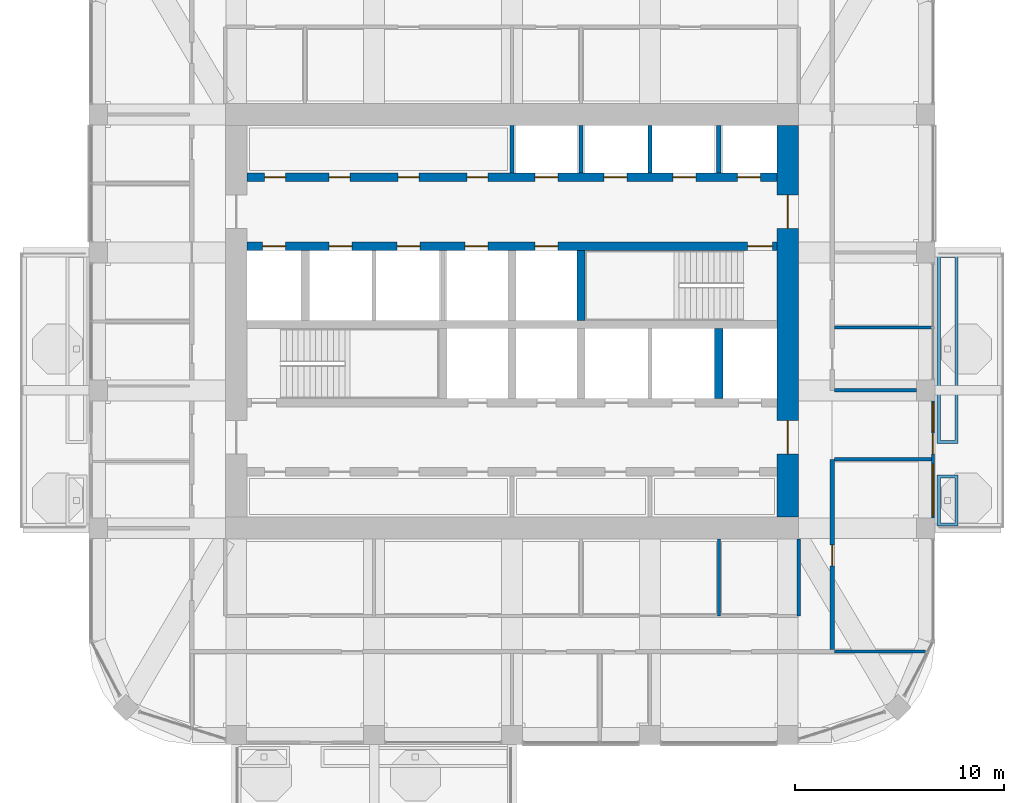
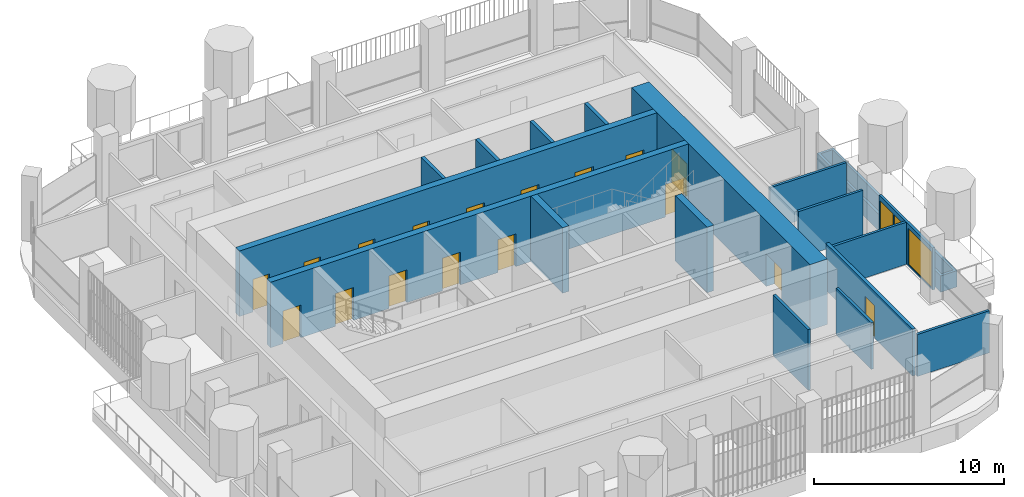
# One storey, part 13 of 18: 19 walls, 18 doors, 2 windows, 20 openings.
"""IFC4 building model written with IfcOpenShell, lengths in metres."""

from ifc_helpers import new_model, si_unit, direction, frame, frame_2d, origin, place, context, subcontext, project, spatial, polyline, rectangle, outline, extrude, material, layer, layer_set, type_object, element, fill, save


model = new_model("IFC4")

# Units and contexts
model_context = context("Model", 3, precision=1e-05, world=origin(), true_north=direction((0.0, 1.0)))
body_context = subcontext(model_context, "Body", "Model", "MODEL_VIEW")
ifc_project = project(units=[si_unit("LENGTHUNIT", "METRE"), si_unit("AREAUNIT", "SQUARE_METRE"), si_unit("VOLUMEUNIT", "CUBIC_METRE"), si_unit("PLANEANGLEUNIT", "RADIAN"), si_unit("MASSUNIT", "GRAM", prefix="KILO")], contexts=[model_context])

# Site, building, storey
site_placement = place(None, origin())
site = spatial("IfcSite", under=ifc_project, at=site_placement, CompositionType="ELEMENT")
building_placement = place(site_placement, origin())
building = spatial("IfcBuilding", under=site, at=building_placement, Name="Cobogo Forest Laboratory Tower", CompositionType="ELEMENT")
storey_placement = place(building_placement, frame((0.0, 0.0, 271.199951171875)))
storey = spatial("IfcBuildingStorey", under=building, at=storey_placement, Name="L62", CompositionType="ELEMENT", Elevation=271.199951171875)

# Wall, openings, doors
ifc_material_1 = material(Name="Concrete HA-50 (C50/60)", Category="concrete")
ifc_layer_1 = layer(ifc_material_1, 0.39990234375)
ifc_layer_set_1 = layer_set([ifc_layer_1], Name="CI400 core inner wall 400")
wall_type_1 = type_object("IfcWallType", Name="CI400 core inner wall 400", PredefinedType="SHEAR", material=ifc_layer_set_1)
wall_1_placement = place(storey_placement, frame((13.72509765625, 26.699951171875, 0.0), z_axis=(0.0, 0.0, 1.0), x_axis=(1.0, 0.0, 0.0)))
wall_1 = element("IfcWall", 1, at=wall_1_placement, inside=storey, type_object=wall_type_1, Name="Core wall CI-26.7 L62", PredefinedType="SHEAR", context=body_context, shape_type="SweptSolid", body=[
    extrude(rectangle(XDim=25.349853515625, YDim=0.39990234375, at=frame_2d((12.6748046875, 0.0))), origin(), (0.0, 0.0, 1.0), 4.199951171875),
])
opening_1_placement = place(wall_1_placement, frame((23.949951171875, 0.0, 0.0)))
opening_1 = element("IfcOpeningElement", 2, at=opening_1_placement, cuts=wall_1, Name="Opening L62-D33", PredefinedType="OPENING", context=body_context, shape_type="SweptSolid", body=[
    extrude(rectangle(XDim=1.199951171875, YDim=2.10009765625, at=frame_2d((0.60009765625, 1.050048828125))), frame((0.0, 0.2099609375, 0.0), z_axis=(0.0, -1.0, 0.0), x_axis=(1.0, 0.0, 0.0)), (0.0, 0.0, 1.0), 0.419921875),
])
opening_2_placement = place(wall_1_placement, frame((0.737548828125, 0.0, 0.0)))
opening_2 = element("IfcOpeningElement", 3, at=opening_2_placement, cuts=wall_1, Name="Opening L62-LD-FL1", PredefinedType="OPENING", context=body_context, shape_type="SweptSolid", body=[
    extrude(rectangle(XDim=1.10009765625, YDim=2.10009765625, at=frame_2d((0.550048828125, 1.050048828125))), frame((0.0, 0.2099609375, 0.0), z_axis=(0.0, -1.0, 0.0), x_axis=(1.0, 0.0, 0.0)), (0.0, 0.0, 1.0), 0.419921875),
])
opening_3_placement = place(wall_1_placement, frame((3.925048828125, 0.0, 0.0)))
opening_3 = element("IfcOpeningElement", 4, at=opening_3_placement, cuts=wall_1, Name="Opening L62-LD-LS3", PredefinedType="OPENING", context=body_context, shape_type="SweptSolid", body=[
    extrude(rectangle(XDim=1.10009765625, YDim=2.10009765625, at=frame_2d((0.550048828125, 1.050048828125))), frame((0.0, 0.2099609375, 0.0), z_axis=(0.0, -1.0, 0.0), x_axis=(1.0, 0.0, 0.0)), (0.0, 0.0, 1.0), 0.419921875),
])
opening_4_placement = place(wall_1_placement, frame((7.175048828125, 0.0, 0.0)))
opening_4 = element("IfcOpeningElement", 5, at=opening_4_placement, cuts=wall_1, Name="Opening L62-LD-LS4", PredefinedType="OPENING", context=body_context, shape_type="SweptSolid", body=[
    extrude(rectangle(XDim=1.10009765625, YDim=2.10009765625, at=frame_2d((0.550048828125, 1.050048828125))), frame((0.0, 0.2099609375, 0.0), z_axis=(0.0, -1.0, 0.0), x_axis=(1.0, 0.0, 0.0)), (0.0, 0.0, 1.0), 0.419921875),
])
opening_5_placement = place(wall_1_placement, frame((10.425048828125, 0.0, 0.0)))
opening_5 = element("IfcOpeningElement", 6, at=opening_5_placement, cuts=wall_1, Name="Opening L62-LD-LS5", PredefinedType="OPENING", context=body_context, shape_type="SweptSolid", body=[
    extrude(rectangle(XDim=1.10009765625, YDim=2.10009765625, at=frame_2d((0.550048828125, 1.050048828125))), frame((0.0, 0.2099609375, 0.0), z_axis=(0.0, -1.0, 0.0), x_axis=(1.0, 0.0, 0.0)), (0.0, 0.0, 1.0), 0.419921875),
])
opening_6_placement = place(wall_1_placement, frame((13.77490234375, 0.0, 0.0)))
opening_6 = element("IfcOpeningElement", 7, at=opening_6_placement, cuts=wall_1, Name="Opening L62-LD-LS6", PredefinedType="OPENING", context=body_context, shape_type="SweptSolid", body=[
    extrude(rectangle(XDim=1.10009765625, YDim=2.10009765625, at=frame_2d((0.550048828125, 1.050048828125))), frame((0.0, 0.2099609375, 0.0), z_axis=(0.0, -1.0, 0.0), x_axis=(1.0, 0.0, 0.0)), (0.0, 0.0, 1.0), 0.419921875),
])
ifc_material_2 = material(Name="Steel fire door", Category="steel")
door_type_1 = type_object("IfcDoorType", Name="DS1 protected stair door 1200 EI2 60", OperationType="SINGLE_SWING_LEFT", PredefinedType="DOOR", material=ifc_material_2)
door_1_placement = place(opening_1_placement, origin())
door_1 = element("IfcDoor", 8, at=door_1_placement, inside=storey, type_object=door_type_1, Name="Door L62-ST2", OperationType="SINGLE_SWING_RIGHT", OverallHeight=2.10009765625, OverallWidth=1.199951171875, PredefinedType="DOOR", context=body_context, shape_type="SweptSolid", body=[
    extrude(rectangle(XDim=1.199951171875, YDim=2.10009765625, at=frame_2d((0.60009765625, 1.050048828125))), frame((0.0, 0.02490234375, 0.0), z_axis=(0.0, -1.0, 0.0), x_axis=(1.0, 0.0, 0.0)), (0.0, 0.0, 1.0), 0.050048828125),
])
fill(opening_1, door_1)
ifc_material_3 = material(Name="Stainless steel lift door", Category="steel")
door_type_2 = type_object("IfcDoorType", Name="LD lift landing door 1100", OperationType="DOUBLE_DOOR_SLIDING", PredefinedType="DOOR", material=ifc_material_3)
door_2_placement = place(opening_2_placement, origin())
door_2 = element("IfcDoor", 9, at=door_2_placement, inside=storey, type_object=door_type_2, Name="Lift landing door FL1 L62", OperationType="DOUBLE_DOOR_SLIDING", OverallHeight=2.10009765625, OverallWidth=1.10009765625, PredefinedType="DOOR", context=body_context, shape_type="SweptSolid", body=[
    extrude(rectangle(XDim=1.10009765625, YDim=2.10009765625, at=frame_2d((0.550048828125, 1.050048828125))), frame((0.0, 0.02490234375, 0.0), z_axis=(0.0, -1.0, 0.0), x_axis=(1.0, 0.0, 0.0)), (0.0, 0.0, 1.0), 0.050048828125),
])
fill(opening_2, door_2)
door_3_placement = place(opening_3_placement, origin())
door_3 = element("IfcDoor", 10, at=door_3_placement, inside=storey, type_object=door_type_2, Name="Lift landing door LS3 L62", OperationType="DOUBLE_DOOR_SLIDING", OverallHeight=2.10009765625, OverallWidth=1.10009765625, PredefinedType="DOOR", context=body_context, shape_type="SweptSolid", body=[
    extrude(rectangle(XDim=1.10009765625, YDim=2.10009765625, at=frame_2d((0.550048828125, 1.050048828125))), frame((0.0, 0.02490234375, 0.0), z_axis=(0.0, -1.0, 0.0), x_axis=(1.0, 0.0, 0.0)), (0.0, 0.0, 1.0), 0.050048828125),
])
fill(opening_3, door_3)
door_4_placement = place(opening_4_placement, origin())
door_4 = element("IfcDoor", 11, at=door_4_placement, inside=storey, type_object=door_type_2, Name="Lift landing door LS4 L62", OperationType="DOUBLE_DOOR_SLIDING", OverallHeight=2.10009765625, OverallWidth=1.10009765625, PredefinedType="DOOR", context=body_context, shape_type="SweptSolid", body=[
    extrude(rectangle(XDim=1.10009765625, YDim=2.10009765625, at=frame_2d((0.550048828125, 1.050048828125))), frame((0.0, 0.02490234375, 0.0), z_axis=(0.0, -1.0, 0.0), x_axis=(1.0, 0.0, 0.0)), (0.0, 0.0, 1.0), 0.050048828125),
])
fill(opening_4, door_4)
door_5_placement = place(opening_5_placement, origin())
door_5 = element("IfcDoor", 12, at=door_5_placement, inside=storey, type_object=door_type_2, Name="Lift landing door LS5 L62", OperationType="DOUBLE_DOOR_SLIDING", OverallHeight=2.10009765625, OverallWidth=1.10009765625, PredefinedType="DOOR", context=body_context, shape_type="SweptSolid", body=[
    extrude(rectangle(XDim=1.10009765625, YDim=2.10009765625, at=frame_2d((0.550048828125, 1.050048828125))), frame((0.0, 0.02490234375, 0.0), z_axis=(0.0, -1.0, 0.0), x_axis=(1.0, 0.0, 0.0)), (0.0, 0.0, 1.0), 0.050048828125),
])
fill(opening_5, door_5)
door_6_placement = place(opening_6_placement, origin())
door_6 = element("IfcDoor", 13, at=door_6_placement, inside=storey, type_object=door_type_2, Name="Lift landing door LS6 L62", OperationType="DOUBLE_DOOR_SLIDING", OverallHeight=2.10009765625, OverallWidth=1.10009765625, PredefinedType="DOOR", context=body_context, shape_type="SweptSolid", body=[
    extrude(rectangle(XDim=1.10009765625, YDim=2.10009765625, at=frame_2d((0.550048828125, 1.050048828125))), frame((0.0, 0.02490234375, 0.0), z_axis=(0.0, -1.0, 0.0), x_axis=(1.0, 0.0, 0.0)), (0.0, 0.0, 1.0), 0.050048828125),
])
fill(opening_6, door_6)

wall_2_placement = place(storey_placement, frame((13.72509765625, 30.0, 0.0), z_axis=(0.0, 0.0, 1.0), x_axis=(1.0, 0.0, 0.0)))
wall_2 = element("IfcWall", 14, at=wall_2_placement, inside=storey, type_object=wall_type_1, Name="Core wall CI-30.0 L62", PredefinedType="SHEAR", context=body_context, shape_type="SweptSolid", body=[
    extrude(rectangle(XDim=25.349853515625, YDim=0.39990234375, at=frame_2d((12.6748046875, 0.0))), origin(), (0.0, 0.0, 1.0), 4.199951171875),
])
opening_7_placement = place(wall_2_placement, frame((0.83740234375, 0.0, 0.0)))
opening_7 = element("IfcOpeningElement", 15, at=opening_7_placement, cuts=wall_2, Name="Opening L62-D36", PredefinedType="OPENING", context=body_context, shape_type="SweptSolid", body=[
    extrude(rectangle(XDim=1.0, YDim=2.10009765625, at=frame_2d((0.5, 1.050048828125))), frame((0.0, 0.2099609375, 0.0), z_axis=(0.0, -1.0, 0.0), x_axis=(1.0, 0.0, 0.0)), (0.0, 0.0, 1.0), 0.419921875),
])
opening_8_placement = place(wall_2_placement, frame((3.925048828125, 0.0, 0.0)))
opening_8 = element("IfcOpeningElement", 16, at=opening_8_placement, cuts=wall_2, Name="Opening L62-D37", PredefinedType="OPENING", context=body_context, shape_type="SweptSolid", body=[
    extrude(rectangle(XDim=1.0, YDim=2.10009765625, at=frame_2d((0.5, 1.050048828125))), frame((0.0, 0.2099609375, 0.0), z_axis=(0.0, -1.0, 0.0), x_axis=(1.0, 0.0, 0.0)), (0.0, 0.0, 1.0), 0.419921875),
])
opening_9_placement = place(wall_2_placement, frame((7.22509765625, 0.0, 0.0)))
opening_9 = element("IfcOpeningElement", 17, at=opening_9_placement, cuts=wall_2, Name="Opening L62-D38", PredefinedType="OPENING", context=body_context, shape_type="SweptSolid", body=[
    extrude(rectangle(XDim=1.0, YDim=2.10009765625, at=frame_2d((0.5, 1.050048828125))), frame((0.0, 0.2099609375, 0.0), z_axis=(0.0, -1.0, 0.0), x_axis=(1.0, 0.0, 0.0)), (0.0, 0.0, 1.0), 0.419921875),
])
opening_10_placement = place(wall_2_placement, frame((10.52490234375, 0.0, 0.0)))
opening_10 = element("IfcOpeningElement", 18, at=opening_10_placement, cuts=wall_2, Name="Opening L62-D39", PredefinedType="OPENING", context=body_context, shape_type="SweptSolid", body=[
    extrude(rectangle(XDim=1.0, YDim=2.10009765625, at=frame_2d((0.5, 1.050048828125))), frame((0.0, 0.2099609375, 0.0), z_axis=(0.0, -1.0, 0.0), x_axis=(1.0, 0.0, 0.0)), (0.0, 0.0, 1.0), 0.419921875),
])
opening_11_placement = place(wall_2_placement, frame((13.77490234375, 0.0, 0.0)))
opening_11 = element("IfcOpeningElement", 19, at=opening_11_placement, cuts=wall_2, Name="Opening L62-LD-LD1", PredefinedType="OPENING", context=body_context, shape_type="SweptSolid", body=[
    extrude(rectangle(XDim=1.10009765625, YDim=2.10009765625, at=frame_2d((0.550048828125, 1.050048828125))), frame((0.0, 0.2099609375, 0.0), z_axis=(0.0, -1.0, 0.0), x_axis=(1.0, 0.0, 0.0)), (0.0, 0.0, 1.0), 0.419921875),
])
opening_12_placement = place(wall_2_placement, frame((17.074951171875, 0.0, 0.0)))
opening_12 = element("IfcOpeningElement", 20, at=opening_12_placement, cuts=wall_2, Name="Opening L62-LD-LD2", PredefinedType="OPENING", context=body_context, shape_type="SweptSolid", body=[
    extrude(rectangle(XDim=1.10009765625, YDim=2.10009765625, at=frame_2d((0.550048828125, 1.050048828125))), frame((0.0, 0.2099609375, 0.0), z_axis=(0.0, -1.0, 0.0), x_axis=(1.0, 0.0, 0.0)), (0.0, 0.0, 1.0), 0.419921875),
])
opening_13_placement = place(wall_2_placement, frame((20.375, 0.0, 0.0)))
opening_13 = element("IfcOpeningElement", 21, at=opening_13_placement, cuts=wall_2, Name="Opening L62-LD-LD3", PredefinedType="OPENING", context=body_context, shape_type="SweptSolid", body=[
    extrude(rectangle(XDim=1.10009765625, YDim=2.10009765625, at=frame_2d((0.550048828125, 1.050048828125))), frame((0.0, 0.2099609375, 0.0), z_axis=(0.0, -1.0, 0.0), x_axis=(1.0, 0.0, 0.0)), (0.0, 0.0, 1.0), 0.419921875),
])
opening_14_placement = place(wall_2_placement, frame((23.46240234375, 0.0, 0.0)))
opening_14 = element("IfcOpeningElement", 22, at=opening_14_placement, cuts=wall_2, Name="Opening L62-LD-LD4", PredefinedType="OPENING", context=body_context, shape_type="SweptSolid", body=[
    extrude(rectangle(XDim=1.10009765625, YDim=2.10009765625, at=frame_2d((0.550048828125, 1.050048828125))), frame((0.0, 0.2099609375, 0.0), z_axis=(0.0, -1.0, 0.0), x_axis=(1.0, 0.0, 0.0)), (0.0, 0.0, 1.0), 0.419921875),
])
door_type_3 = type_object("IfcDoorType", Name="FD1 fire door 1000 EI2 60", OperationType="SINGLE_SWING_LEFT", PredefinedType="DOOR", material=ifc_material_2)
door_7_placement = place(opening_7_placement, origin())
door_7 = element("IfcDoor", 23, at=door_7_placement, inside=storey, type_object=door_type_3, Name="Door L62-SH-LC1", OperationType="SINGLE_SWING_LEFT", OverallHeight=2.10009765625, OverallWidth=1.0, PredefinedType="DOOR", context=body_context, shape_type="SweptSolid", body=[
    extrude(rectangle(XDim=1.0, YDim=2.10009765625, at=frame_2d((0.5, 1.050048828125))), frame((0.0, 0.02490234375, 0.0), z_axis=(0.0, -1.0, 0.0), x_axis=(1.0, 0.0, 0.0)), (0.0, 0.0, 1.0), 0.050048828125),
])
fill(opening_7, door_7)
door_8_placement = place(opening_8_placement, origin())
door_8 = element("IfcDoor", 24, at=door_8_placement, inside=storey, type_object=door_type_3, Name="Door L62-SH-LC2", OperationType="SINGLE_SWING_LEFT", OverallHeight=2.10009765625, OverallWidth=1.0, PredefinedType="DOOR", context=body_context, shape_type="SweptSolid", body=[
    extrude(rectangle(XDim=1.0, YDim=2.10009765625, at=frame_2d((0.5, 1.050048828125))), frame((0.0, 0.02490234375, 0.0), z_axis=(0.0, -1.0, 0.0), x_axis=(1.0, 0.0, 0.0)), (0.0, 0.0, 1.0), 0.050048828125),
])
fill(opening_8, door_8)
door_9_placement = place(opening_9_placement, origin())
door_9 = element("IfcDoor", 25, at=door_9_placement, inside=storey, type_object=door_type_3, Name="Door L62-SH-LC3", OperationType="SINGLE_SWING_LEFT", OverallHeight=2.10009765625, OverallWidth=1.0, PredefinedType="DOOR", context=body_context, shape_type="SweptSolid", body=[
    extrude(rectangle(XDim=1.0, YDim=2.10009765625, at=frame_2d((0.5, 1.050048828125))), frame((0.0, 0.02490234375, 0.0), z_axis=(0.0, -1.0, 0.0), x_axis=(1.0, 0.0, 0.0)), (0.0, 0.0, 1.0), 0.050048828125),
])
fill(opening_9, door_9)
door_10_placement = place(opening_10_placement, origin())
door_10 = element("IfcDoor", 26, at=door_10_placement, inside=storey, type_object=door_type_3, Name="Door L62-SH-LC4", OperationType="SINGLE_SWING_LEFT", OverallHeight=2.10009765625, OverallWidth=1.0, PredefinedType="DOOR", context=body_context, shape_type="SweptSolid", body=[
    extrude(rectangle(XDim=1.0, YDim=2.10009765625, at=frame_2d((0.5, 1.050048828125))), frame((0.0, 0.02490234375, 0.0), z_axis=(0.0, -1.0, 0.0), x_axis=(1.0, 0.0, 0.0)), (0.0, 0.0, 1.0), 0.050048828125),
])
fill(opening_10, door_10)
door_11_placement = place(opening_11_placement, origin())
door_11 = element("IfcDoor", 27, at=door_11_placement, inside=storey, type_object=door_type_2, Name="Lift landing door LD1 L62", OperationType="DOUBLE_DOOR_SLIDING", OverallHeight=2.10009765625, OverallWidth=1.10009765625, PredefinedType="DOOR", context=body_context, shape_type="SweptSolid", body=[
    extrude(rectangle(XDim=1.10009765625, YDim=2.10009765625, at=frame_2d((0.550048828125, 1.050048828125))), frame((0.0, 0.02490234375, 0.0), z_axis=(0.0, -1.0, 0.0), x_axis=(1.0, 0.0, 0.0)), (0.0, 0.0, 1.0), 0.050048828125),
])
fill(opening_11, door_11)
door_12_placement = place(opening_12_placement, origin())
door_12 = element("IfcDoor", 28, at=door_12_placement, inside=storey, type_object=door_type_2, Name="Lift landing door LD2 L62", OperationType="DOUBLE_DOOR_SLIDING", OverallHeight=2.10009765625, OverallWidth=1.10009765625, PredefinedType="DOOR", context=body_context, shape_type="SweptSolid", body=[
    extrude(rectangle(XDim=1.10009765625, YDim=2.10009765625, at=frame_2d((0.550048828125, 1.050048828125))), frame((0.0, 0.02490234375, 0.0), z_axis=(0.0, -1.0, 0.0), x_axis=(1.0, 0.0, 0.0)), (0.0, 0.0, 1.0), 0.050048828125),
])
fill(opening_12, door_12)
door_13_placement = place(opening_13_placement, origin())
door_13 = element("IfcDoor", 29, at=door_13_placement, inside=storey, type_object=door_type_2, Name="Lift landing door LD3 L62", OperationType="DOUBLE_DOOR_SLIDING", OverallHeight=2.10009765625, OverallWidth=1.10009765625, PredefinedType="DOOR", context=body_context, shape_type="SweptSolid", body=[
    extrude(rectangle(XDim=1.10009765625, YDim=2.10009765625, at=frame_2d((0.550048828125, 1.050048828125))), frame((0.0, 0.02490234375, 0.0), z_axis=(0.0, -1.0, 0.0), x_axis=(1.0, 0.0, 0.0)), (0.0, 0.0, 1.0), 0.050048828125),
])
fill(opening_13, door_13)
door_14_placement = place(opening_14_placement, origin())
door_14 = element("IfcDoor", 30, at=door_14_placement, inside=storey, type_object=door_type_2, Name="Lift landing door LD4 L62", OperationType="DOUBLE_DOOR_SLIDING", OverallHeight=2.10009765625, OverallWidth=1.10009765625, PredefinedType="DOOR", context=body_context, shape_type="SweptSolid", body=[
    extrude(rectangle(XDim=1.10009765625, YDim=2.10009765625, at=frame_2d((0.550048828125, 1.050048828125))), frame((0.0, 0.02490234375, 0.0), z_axis=(0.0, -1.0, 0.0), x_axis=(1.0, 0.0, 0.0)), (0.0, 0.0, 1.0), 0.050048828125),
])
fill(opening_14, door_14)

# Walls
for number, where, z_axis, x_axis, name in (
    (31, (36.300048828125, 19.39990234375, 0.0), (0.0, 0.0, 1.0), (0.0, 1.0, 0.0), "Core wall CX-36.3 L62"),
    (32, (29.699951171875, 23.14990234375, 0.0), (0.0, 0.0, 1.0), (0.0, 1.0, 0.0), "Core wall CX-29.7N L62"),
):
    element("IfcWall", number, at=place(storey_placement, frame(where, z_axis=z_axis, x_axis=x_axis)), inside=storey, type_object=wall_type_1, Name=name, PredefinedType="SHEAR", context=body_context, shape_type="SweptSolid", body=[
        extrude(rectangle(XDim=3.35009765625, YDim=0.39990234375, at=frame_2d((1.675048828125, 0.0))), origin(), (0.0, 0.0, 1.0), 4.199951171875),
    ])

# Wall, openings, doors
ifc_layer_2 = layer(ifc_material_1, 1.050048828125)
ifc_layer_set_2 = layer_set([ifc_layer_2], Name="CW1050 core outer wall 1050")
wall_type_2 = type_object("IfcWallType", Name="CW1050 core outer wall 1050", PredefinedType="SHEAR", material=ifc_layer_set_2)
wall_3_placement = place(storey_placement, frame((39.60009765625, 13.72509765625, 0.0), z_axis=(0.0, 0.0, 1.0), x_axis=(0.0, 1.0, 0.0)))
wall_3 = element("IfcWall", 33, at=wall_3_placement, inside=storey, type_object=wall_type_2, Name="Core wall CO-E L62", PredefinedType="SHEAR", context=body_context, shape_type="SweptSolid", body=[
    extrude(rectangle(XDim=18.75, YDim=1.050048828125, at=frame_2d((9.375, 0.0))), origin(), (0.0, 0.0, 1.0), 4.199951171875),
])
opening_15_placement = place(wall_3_placement, frame((3.02490234375, 0.0, 0.0)))
opening_15 = element("IfcOpeningElement", 34, at=opening_15_placement, cuts=wall_3, Name="Opening L62-D24", PredefinedType="OPENING", context=body_context, shape_type="SweptSolid", body=[
    extrude(rectangle(XDim=1.60009765625, YDim=2.10009765625, at=frame_2d((0.800048828125, 1.050048828125))), frame((0.0, 0.534912109375, 0.0), z_axis=(0.0, -1.0, 0.0), x_axis=(1.0, 0.0, 0.0)), (0.0, 0.0, 1.0), 1.070068359375),
])
opening_16_placement = place(wall_3_placement, frame((13.824951171875, 0.0, 0.0)))
opening_16 = element("IfcOpeningElement", 35, at=opening_16_placement, cuts=wall_3, Name="Opening L62-D35", PredefinedType="OPENING", context=body_context, shape_type="SweptSolid", body=[
    extrude(rectangle(XDim=1.60009765625, YDim=2.10009765625, at=frame_2d((0.800048828125, 1.050048828125))), frame((0.0, 0.534912109375, 0.0), z_axis=(0.0, -1.0, 0.0), x_axis=(1.0, 0.0, 0.0)), (0.0, 0.0, 1.0), 1.070068359375),
])
door_type_4 = type_object("IfcDoorType", Name="DS2 protected lobby door pair 1600 EI2 60", OperationType="DOUBLE_DOOR_DOUBLE_SWING", PredefinedType="DOOR", material=ifc_material_2)
door_15_placement = place(opening_15_placement, origin())
door_15 = element("IfcDoor", 36, at=door_15_placement, inside=storey, type_object=door_type_4, Name="Door L62-CO-E-S", OperationType="DOUBLE_DOOR_DOUBLE_SWING", OverallHeight=2.10009765625, OverallWidth=1.60009765625, PredefinedType="DOOR", context=body_context, shape_type="SweptSolid", body=[
    extrude(rectangle(XDim=1.60009765625, YDim=2.10009765625, at=frame_2d((0.800048828125, 1.050048828125))), frame((0.0, 0.02490234375, 0.0), z_axis=(0.0, -1.0, 0.0), x_axis=(1.0, 0.0, 0.0)), (0.0, 0.0, 1.0), 0.050048828125),
])
fill(opening_15, door_15)
door_16_placement = place(opening_16_placement, origin())
door_16 = element("IfcDoor", 37, at=door_16_placement, inside=storey, type_object=door_type_4, Name="Door L62-CO-E-N", OperationType="DOUBLE_DOOR_DOUBLE_SWING", OverallHeight=2.10009765625, OverallWidth=1.60009765625, PredefinedType="DOOR", context=body_context, shape_type="SweptSolid", body=[
    extrude(rectangle(XDim=1.60009765625, YDim=2.10009765625, at=frame_2d((0.800048828125, 1.050048828125))), frame((0.0, 0.02490234375, 0.0), z_axis=(0.0, -1.0, 0.0), x_axis=(1.0, 0.0, 0.0)), (0.0, 0.0, 1.0), 0.050048828125),
])
fill(opening_16, door_16)

# Wall, openings, door, windows
ifc_material_4 = material(Name="Aluminium framed glazed screen", Category="aluminium")
ifc_layer_3 = layer(ifc_material_4, 0.14990234375)
ifc_layer_set_3 = layer_set([ifc_layer_3], Name="GS1 glazed door screen 150")
wall_type_3 = type_object("IfcWallType", Name="GS1 glazed door screen 150", PredefinedType="SOLIDWALL", material=ifc_layer_set_3)
wall_4_placement = place(storey_placement, frame((46.550048828125, 13.699951171875, 0.0), z_axis=(0.0, 0.0, 1.0), x_axis=(0.0, 1.0, 0.0)))
wall_4 = element("IfcWall", 38, at=wall_4_placement, inside=storey, type_object=wall_type_3, Name="Door screen BAL-E1 L62", PredefinedType="SOLIDWALL", context=body_context, shape_type="SweptSolid", body=[
    extrude(rectangle(XDim=5.60009765625, YDim=0.14990234375, at=frame_2d((2.800048828125, 0.0))), origin(), (0.0, 0.0, 1.0), 2.699951171875),
])
opening_17_placement = place(wall_4_placement, frame((3.050048828125, 0.0, 0.0)))
opening_17 = element("IfcOpeningElement", 39, at=opening_17_placement, cuts=wall_4, Name="Opening L62-D22", PredefinedType="OPENING", context=body_context, shape_type="SweptSolid", body=[
    extrude(rectangle(XDim=1.0, YDim=2.39990234375, at=frame_2d((0.5, 1.199951171875))), frame((0.0, 0.0849609375, 0.0), z_axis=(0.0, -1.0, 0.0), x_axis=(1.0, 0.0, 0.0)), (0.0, 0.0, 1.0), 0.169921875),
])
opening_18_placement = place(wall_4_placement, frame((0.10009765625, 0.0, 0.10009765625)))
opening_18 = element("IfcOpeningElement", 40, at=opening_18_placement, cuts=wall_4, Name="Opening L62-W04", PredefinedType="OPENING", context=body_context, shape_type="SweptSolid", body=[
    extrude(rectangle(XDim=2.449951171875, YDim=2.300048828125, at=frame_2d((1.22509765625, 1.14990234375))), frame((0.0, 0.0849609375, 0.0), z_axis=(0.0, -1.0, 0.0), x_axis=(1.0, 0.0, 0.0)), (0.0, 0.0, 1.0), 0.169921875),
])
opening_19_placement = place(wall_4_placement, frame((4.14990234375, 0.0, 0.10009765625)))
opening_19 = element("IfcOpeningElement", 41, at=opening_19_placement, cuts=wall_4, Name="Opening L62-W06", PredefinedType="OPENING", context=body_context, shape_type="SweptSolid", body=[
    extrude(rectangle(XDim=1.35009765625, YDim=2.300048828125, at=frame_2d((0.675048828125, 1.14990234375))), frame((0.0, 0.0849609375, 0.0), z_axis=(0.0, -1.0, 0.0), x_axis=(1.0, 0.0, 0.0)), (0.0, 0.0, 1.0), 0.169921875),
])
ifc_material_5 = material(Name="Aluminium glazed door", Category="aluminium")
door_type_5 = type_object("IfcDoorType", Name="DB1 balcony door 1000 glazed", OperationType="SINGLE_SWING_LEFT", PredefinedType="DOOR", material=ifc_material_5)
door_17_placement = place(opening_17_placement, origin())
door_17 = element("IfcDoor", 42, at=door_17_placement, inside=storey, type_object=door_type_5, Name="Door L62-BAL-E1", OperationType="SINGLE_SWING_RIGHT", OverallHeight=2.39990234375, OverallWidth=1.0, PredefinedType="DOOR", context=body_context, shape_type="SweptSolid", body=[
    extrude(rectangle(XDim=1.0, YDim=2.39990234375, at=frame_2d((0.5, 1.199951171875))), frame((0.0, 0.02490234375, 0.0), z_axis=(0.0, -1.0, 0.0), x_axis=(1.0, 0.0, 0.0)), (0.0, 0.0, 1.0), 0.050048828125),
])
fill(opening_17, door_17)
ifc_material_6 = material(Name="Aluminium framed glazing", Category="aluminium")
window_type_1 = type_object("IfcWindowType", Name="WG23 fixed glazed light 2450x2300", PartitioningType="SINGLE_PANEL", PredefinedType="WINDOW", material=ifc_material_6)
window_1_placement = place(opening_18_placement, origin())
window_1 = element("IfcWindow", 43, at=window_1_placement, inside=storey, type_object=window_type_1, Name="Window L62-BAL-E1-1", OverallHeight=2.300048828125, OverallWidth=2.449951171875, PartitioningType="SINGLE_PANEL", PredefinedType="WINDOW", context=body_context, shape_type="SweptSolid", body=[
    extrude(rectangle(XDim=2.449951171875, YDim=2.300048828125, at=frame_2d((1.22509765625, 1.14990234375))), frame((0.0, 0.030029296875, 0.0), z_axis=(0.0, -1.0, 0.0), x_axis=(1.0, 0.0, 0.0)), (0.0, 0.0, 1.0), 0.06005859375),
])
fill(opening_18, window_1)
window_type_2 = type_object("IfcWindowType", Name="WG24 fixed glazed light 1350x2300", PartitioningType="SINGLE_PANEL", PredefinedType="WINDOW", material=ifc_material_6)
window_2_placement = place(opening_19_placement, origin())
window_2 = element("IfcWindow", 44, at=window_2_placement, inside=storey, type_object=window_type_2, Name="Window L62-BAL-E1-2", OverallHeight=2.300048828125, OverallWidth=1.35009765625, PartitioningType="SINGLE_PANEL", PredefinedType="WINDOW", context=body_context, shape_type="SweptSolid", body=[
    extrude(rectangle(XDim=1.35009765625, YDim=2.300048828125, at=frame_2d((0.675048828125, 1.14990234375))), frame((0.0, 0.030029296875, 0.0), z_axis=(0.0, -1.0, 0.0), x_axis=(1.0, 0.0, 0.0)), (0.0, 0.0, 1.0), 0.06005859375),
])
fill(opening_19, window_2)

# Walls
ifc_material_7 = material(Name="Gypsum board on steel studs", Category="steel")
ifc_layer_4 = layer(ifc_material_7, 0.14990234375)
ifc_layer_set_4 = layer_set([ifc_layer_4], Name="PT1 laboratory partition 150")
wall_type_4 = type_object("IfcWallType", Name="PT1 laboratory partition 150", PredefinedType="PARTITIONING", material=ifc_layer_set_4)
wall_5_placement = place(storey_placement, frame((40.125, 12.675048828125, 0.0), z_axis=(0.0, 0.0, 1.0), x_axis=(0.0, -1.0, 0.0)))
element("IfcWall", 45, at=wall_5_placement, inside=storey, type_object=wall_type_4, Name="Partition CSTRIP-SE L62", PredefinedType="PARTITIONING", context=body_context, shape_type="SweptSolid", body=[
    extrude(rectangle(XDim=3.675048828125, YDim=0.14990234375, at=frame_2d((1.83740234375, 0.0))), origin(), (0.0, 0.0, 1.0), 3.0),
])
wall_6_placement = place(storey_placement, frame((36.300048828125, 12.675048828125, 0.0), z_axis=(0.0, 0.0, 1.0), x_axis=(0.0, -1.0, 0.0)))
element("IfcWall", 46, at=wall_6_placement, inside=storey, type_object=wall_type_4, Name="Partition CSTRIP-S36.3 L62", PredefinedType="PARTITIONING", context=body_context, shape_type="SweptSolid", body=[
    extrude(rectangle(XDim=3.675048828125, YDim=0.14990234375, at=frame_2d((1.83740234375, 0.0))), origin(), (0.0, 0.0, 1.0), 3.900146484375),
])
wall_7_placement = place(storey_placement, frame((46.197509765625, 7.300048828125, 0.0), z_axis=(0.0, 0.0, 1.0), x_axis=(-1.0, 0.0, 0.0)))
element("IfcWall", 47, at=wall_7_placement, inside=storey, type_object=wall_type_4, Name="Partition PW-SE L62", PredefinedType="PARTITIONING", context=body_context, shape_type="SweptSolid", body=[
    extrude(rectangle(XDim=4.37255859375, YDim=0.14990234375, at=frame_2d((2.186279296875, 0.0))), origin(), (0.0, 0.0, 1.0), 2.699951171875),
])
for number, where, z_axis, x_axis, name in (
    (48, (46.469970703125, 22.800048828125, 0.0), (0.0, 0.0, 1.0), (-1.0, 0.0, 0.0), "Partition SVC-E1-1 L62"),
    (49, (46.469970703125, 16.5, 0.0), (0.0, 0.0, 1.0), (-1.0, 0.0, 0.0), "Partition CUT-E16.5-1 L62"),
):
    element("IfcWall", number, at=place(storey_placement, frame(where, z_axis=z_axis, x_axis=x_axis)), inside=storey, type_object=wall_type_4, Name=name, PredefinedType="PARTITIONING", context=body_context, shape_type="SweptSolid", body=[
        extrude(rectangle(XDim=4.64501953125, YDim=0.14990234375, at=frame_2d((2.322509765625, 0.0))), origin(), (0.0, 0.0, 1.0), 2.699951171875),
    ])
wall_8_placement = place(storey_placement, frame((45.75, 19.800048828125, 0.0), z_axis=(0.0, 0.0, 1.0), x_axis=(-1.0, 0.0, 0.0)))
element("IfcWall", 50, at=wall_8_placement, inside=storey, type_object=wall_type_4, Name="Partition CUT-E19.8-1 L62", PredefinedType="PARTITIONING", context=body_context, shape_type="SweptSolid", body=[
    extrude(rectangle(XDim=3.925048828125, YDim=0.14990234375, at=frame_2d((1.96240234375, 0.0))), origin(), (0.0, 0.0, 1.0), 3.0),
])

# Wall, opening, door
ifc_layer_5 = layer(ifc_material_7, 0.199951171875)
ifc_layer_set_5 = layer_set([ifc_layer_5], Name="PT2 fire-rated corridor partition 200")
wall_type_5 = type_object("IfcWallType", Name="PT2 fire-rated corridor partition 200", PredefinedType="PARTITIONING", material=ifc_layer_set_5)
wall_9_placement = place(storey_placement, frame((41.72509765625, 7.39990234375, 0.0), z_axis=(0.0, 0.0, 1.0), x_axis=(0.0, 1.0, 0.0)))
wall_9 = element("IfcWall", 51, at=wall_9_placement, inside=storey, type_object=wall_type_5, Name="Partition CORR-E-1 L62", PredefinedType="PARTITIONING", context=body_context, shape_type="SweptSolid", body=[
    extrude(rectangle(XDim=9.10009765625, YDim=0.199951171875, at=frame_2d((4.550048828125, 0.0))), origin(), (0.0, 0.0, 1.0), 3.0),
])
opening_20_placement = place(wall_9_placement, frame((4.0, 0.0, 0.0)))
opening_20 = element("IfcOpeningElement", 52, at=opening_20_placement, cuts=wall_9, Name="Opening L62-D11", PredefinedType="OPENING", context=body_context, shape_type="SweptSolid", body=[
    extrude(rectangle(XDim=1.0, YDim=2.10009765625, at=frame_2d((0.5, 1.050048828125))), frame((0.0, 0.10986328125, 0.0), z_axis=(0.0, -1.0, 0.0), x_axis=(1.0, 0.0, 0.0)), (0.0, 0.0, 1.0), 0.219970703125),
])
ifc_material_8 = material(Name="Timber fire door", Category="wood")
door_type_6 = type_object("IfcDoorType", Name="FD2 fire door 1000 EI2 30", OperationType="SINGLE_SWING_LEFT", PredefinedType="DOOR", material=ifc_material_8)
door_18_placement = place(opening_20_placement, origin())
door_18 = element("IfcDoor", 53, at=door_18_placement, inside=storey, type_object=door_type_6, Name="Door L62-E1", OperationType="SINGLE_SWING_LEFT", OverallHeight=2.10009765625, OverallWidth=1.0, PredefinedType="DOOR", context=body_context, shape_type="SweptSolid", body=[
    extrude(rectangle(XDim=1.0, YDim=2.10009765625, at=frame_2d((0.5, 1.050048828125))), frame((0.0, 0.02490234375, 0.0), z_axis=(0.0, -1.0, 0.0), x_axis=(1.0, 0.0, 0.0)), (0.0, 0.0, 1.0), 0.050048828125),
])
fill(opening_20, door_18)

# Walls
ifc_material_9 = material(Name="Concrete HA-40 (C40/50)", Category="concrete")
ifc_layer_6 = layer(ifc_material_9, 0.14990234375)
ifc_layer_set_6 = layer_set([ifc_layer_6], Name="Planter box 1000x1050")
wall_type_6 = type_object("IfcWallType", Name="Planter box 1000x1050", PredefinedType="USERDEFINED", material=ifc_layer_set_6)
wall_10_placement = place(storey_placement, origin())
element("IfcWall", 54, at=wall_10_placement, inside=storey, type_object=wall_type_6, Name="Planter BAL-E1-1 L62", ObjectType="PLANTER", PredefinedType="USERDEFINED", context=body_context, shape_type="SweptSolid", body=[
    extrude(outline(polyline([(46.75, 13.300048828125), (47.75, 13.300048828125), (47.75, 15.75), (46.75, 15.75), (46.75, 13.300048828125)]), holes=[polyline([(46.89990234375, 13.449951171875), (47.60009765625, 13.449951171875), (47.60009765625, 15.60009765625), (46.89990234375, 15.60009765625), (46.89990234375, 13.449951171875)])]), origin(), (0.0, 0.0, 1.0), 1.050048828125),
])
wall_11_placement = place(storey_placement, origin())
element("IfcWall", 55, at=wall_11_placement, inside=storey, type_object=wall_type_6, Name="Planter BAL-E1-2 L62", ObjectType="PLANTER", PredefinedType="USERDEFINED", context=body_context, shape_type="SweptSolid", body=[
    extrude(outline(polyline([(46.75, 17.25), (47.75, 17.25), (47.75, 26.300048828125), (46.75, 26.300048828125), (46.75, 17.25)]), holes=[polyline([(46.89990234375, 17.39990234375), (47.60009765625, 17.39990234375), (47.60009765625, 26.14990234375), (46.89990234375, 26.14990234375), (46.89990234375, 17.39990234375)])]), origin(), (0.0, 0.0, 1.0), 1.050048828125),
])
ifc_material_10 = material(Name="Concrete block", Category="concrete")
ifc_layer_7 = layer(ifc_material_10, 0.199951171875)
ifc_layer_set_7 = layer_set([ifc_layer_7], Name="SW200 lift shaft separator 200")
wall_type_7 = type_object("IfcWallType", Name="SW200 lift shaft separator 200", PredefinedType="PARTITIONING", material=ifc_layer_set_7)
for number, where, z_axis, x_axis, name in (
    (56, (26.39990234375, 30.199951171875, 0.0), (0.0, 0.0, 1.0), (0.0, 1.0, 0.0), "Core wall SEP-N4 L62"),
    (57, (29.699951171875, 30.199951171875, 0.0), (0.0, 0.0, 1.0), (0.0, 1.0, 0.0), "Core wall SEP-N5 L62"),
    (58, (33.0, 30.199951171875, 0.0), (0.0, 0.0, 1.0), (0.0, 1.0, 0.0), "Core wall SEP-N6 L62"),
    (59, (36.300048828125, 30.199951171875, 0.0), (0.0, 0.0, 1.0), (0.0, 1.0, 0.0), "Core wall SEP-N7 L62"),
):
    element("IfcWall", number, at=place(storey_placement, frame(where, z_axis=z_axis, x_axis=x_axis)), inside=storey, type_object=wall_type_7, Name=name, PredefinedType="PARTITIONING", context=body_context, shape_type="SweptSolid", body=[
        extrude(rectangle(XDim=2.275146484375, YDim=0.199951171875, at=frame_2d((1.1376953125, 0.0))), origin(), (0.0, 0.0, 1.0), 4.199951171875),
    ])

save(model, "model.ifc")
